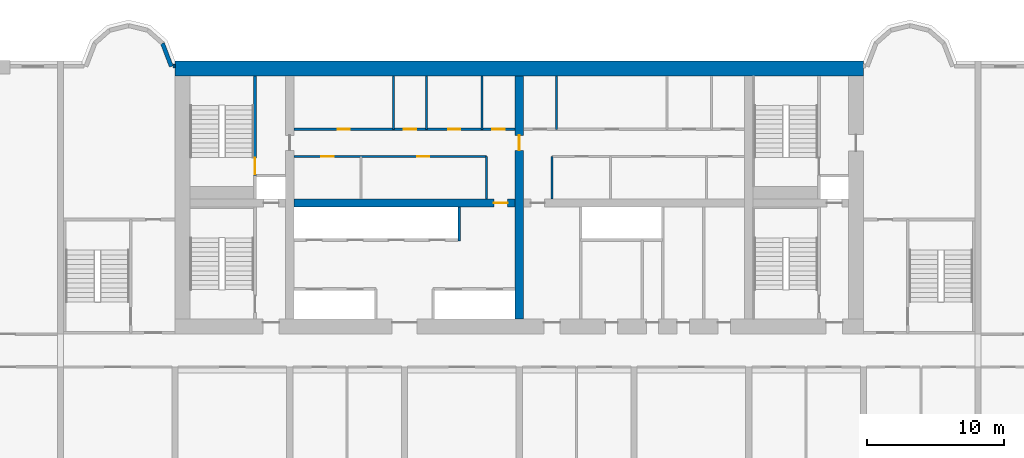
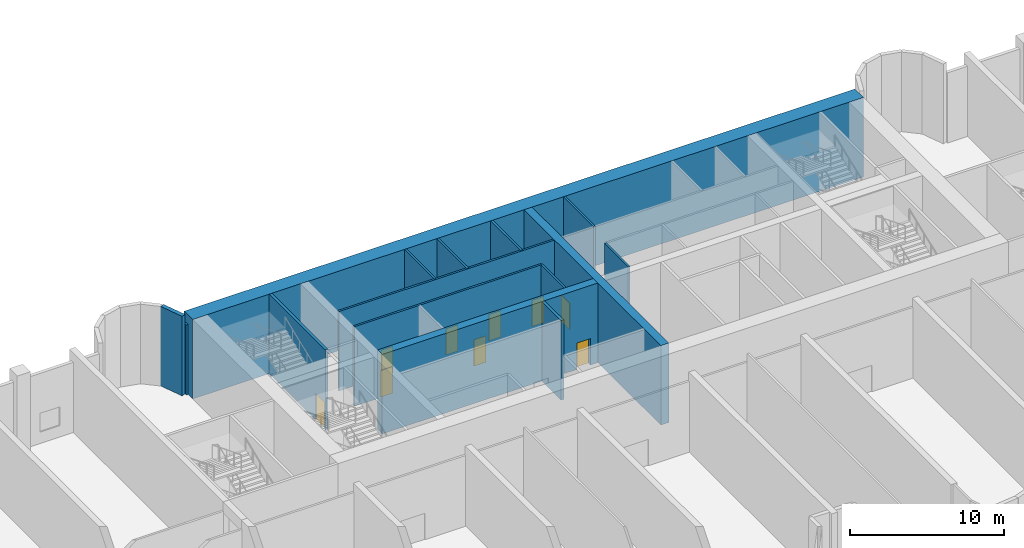
# One storey, part 10 of 15: 15 walls, 9 doors, 9 openings.
"""IFC4 building model written with IfcOpenShell, lengths in metres."""

from ifc_helpers import new_model, si_unit, direction, frame, frame_2d, origin, place, context, subcontext, project, spatial, rectangle, extrude, source, transform, mapped, material, layer, layer_set, type_object, element, fill, save


model = new_model("IFC4")

# Units and contexts
model_context = context("Model", 3, precision=1e-05, world=origin(), true_north=direction((0.0, 1.0)))
body_context = subcontext(model_context, "Body", "Model", "MODEL_VIEW")
ifc_project = project(units=[si_unit("LENGTHUNIT", "METRE"), si_unit("AREAUNIT", "SQUARE_METRE"), si_unit("VOLUMEUNIT", "CUBIC_METRE"), si_unit("PLANEANGLEUNIT", "RADIAN"), si_unit("MASSUNIT", "GRAM", prefix="KILO")], contexts=[model_context])

# Site, building, storey
site_placement = place(None, origin())
site = spatial("IfcSite", under=ifc_project, at=site_placement, CompositionType="ELEMENT")
building_placement = place(site_placement, origin())
building = spatial("IfcBuilding", under=site, at=building_placement, Name="Vanashikhar Sky Hotel", CompositionType="ELEMENT")
storey_placement = place(building_placement, frame((0.0, 0.0, 11.39990234375)))
storey = spatial("IfcBuildingStorey", under=building, at=storey_placement, Name="L02", CompositionType="ELEMENT", Elevation=11.39990234375)

# Wall
ifc_material_1 = material(Name="Concrete M80", Category="concrete")
ifc_layer_1 = layer(ifc_material_1, 1.10009765625)
ifc_layer_set_1 = layer_set([ifc_layer_1], Name="RC core shell wall 1100 Concrete M80")
wall_type_1 = type_object("IfcWallType", Name="RC core shell wall 1100 Concrete M80", PredefinedType="SHEAR", material=ifc_layer_set_1)
shared_shape_1 = source(origin(), body_context, "Body", "SweptSolid", [
    extrude(rectangle(XDim=50.400146484375, YDim=1.10009765625, at=frame_2d((25.2001953125, 0.0))), origin(), (0.0, 0.0, 1.0), 6.320068359375),
])
wall_1_placement = place(storey_placement, frame((25.199951171875, 41.449951171875, 0.0), z_axis=(0.0, 0.0, 1.0), x_axis=(1.0, 0.0, 0.0)))
element("IfcWall", 1, at=wall_1_placement, inside=storey, type_object=wall_type_1, Name="KW-L02-KN", PredefinedType="SHEAR", context=body_context, shape_type="MappedRepresentation", body=[
    mapped(shared_shape_1, transform((0.0, 0.0, 0.0), scale=1.0)),
])

# Wall, opening, door
ifc_layer_2 = layer(ifc_material_1, 0.60009765625)
ifc_layer_set_2 = layer_set([ifc_layer_2], Name="RC core inner wall 600 Concrete M80")
wall_type_2 = type_object("IfcWallType", Name="RC core inner wall 600 Concrete M80", PredefinedType="SHEAR", material=ifc_layer_set_2)
shared_shape_2 = source(origin(), body_context, "Body", "SweptSolid", [
    extrude(rectangle(XDim=17.7998046875, YDim=0.60009765625, at=frame_2d((8.89990234375, 0.0))), origin(), (0.0, 0.0, 1.0), 6.320068359375),
])
wall_2_placement = place(storey_placement, frame((50.39990234375, 23.10009765625, 0.0), z_axis=(0.0, 0.0, 1.0), x_axis=(0.0, 1.0, 0.0)))
wall_2 = element("IfcWall", 2, at=wall_2_placement, inside=storey, type_object=wall_type_2, Name="KW-L02-KX2", PredefinedType="SHEAR", context=body_context, shape_type="MappedRepresentation", body=[
    mapped(shared_shape_2, transform((0.0, 0.0, 0.0), scale=1.0)),
])
shared_shape_3 = source(origin(), body_context, "Body", "SweptSolid", [
    extrude(rectangle(XDim=1.10009765625, YDim=2.10009765625, at=frame_2d((0.550048828125, 1.050048828125))), frame((0.0, 0.31005859375, 0.0), z_axis=(0.0, -1.0, 0.0), x_axis=(1.0, 0.0, 0.0)), (0.0, 0.0, 1.0), 0.6201171875),
])
opening_1_placement = place(wall_2_placement, frame((12.35009765625, 0.0, 0.0)))
opening_1 = element("IfcOpeningElement", 3, at=opening_1_placement, cuts=wall_2, Name="Opening DC-4-C", PredefinedType="OPENING", context=body_context, shape_type="MappedRepresentation", body=[
    mapped(shared_shape_3, transform((0.0, 0.0, 0.0), scale=1.0)),
])
ifc_material_2 = material(Name="Steel", Category="steel")
door_type_1 = type_object("IfcDoorType", Name="Service door 1100 FD60", OperationType="NOTDEFINED", PredefinedType="DOOR", material=ifc_material_2)
shared_shape_4 = source(origin(), body_context, "Body", "SweptSolid", [
    extrude(rectangle(XDim=1.10009765625, YDim=2.10009765625, at=frame_2d((0.550048828125, 1.050048828125))), frame((0.0, 0.02490234375, 0.0), z_axis=(0.0, -1.0, 0.0), x_axis=(1.0, 0.0, 0.0)), (0.0, 0.0, 1.0), 0.050048828125),
])
door_1_placement = place(opening_1_placement, origin())
door_1 = element("IfcDoor", 4, at=door_1_placement, inside=storey, type_object=door_type_1, Name="Service door 1100 FD60", OperationType="SINGLE_SWING_RIGHT", OverallHeight=2.10009765625, OverallWidth=1.10009765625, PredefinedType="DOOR", context=body_context, shape_type="MappedRepresentation", body=[
    mapped(shared_shape_4, transform((0.0, 0.0, 0.0), scale=1.0)),
])
fill(opening_1, door_1)

shared_shape_5 = source(origin(), body_context, "Body", "SweptSolid", [
    extrude(rectangle(XDim=16.2001953125, YDim=0.60009765625, at=frame_2d((8.10009765625, 0.0))), origin(), (0.0, 0.0, 1.0), 6.320068359375),
])
wall_3_placement = place(storey_placement, frame((33.89990234375, 31.60009765625, 0.0), z_axis=(0.0, 0.0, 1.0), x_axis=(1.0, 0.0, 0.0)))
wall_3 = element("IfcWall", 5, at=wall_3_placement, inside=storey, type_object=wall_type_2, Name="KW-L02-KY2", PredefinedType="SHEAR", context=body_context, shape_type="MappedRepresentation", body=[
    mapped(shared_shape_5, transform((0.0, 0.0, 0.0), scale=1.0)),
])
shared_shape_6 = source(origin(), body_context, "Body", "SweptSolid", [
    extrude(rectangle(XDim=1.0, YDim=2.10009765625, at=frame_2d((0.5, 1.050048828125))), frame((0.0, 0.31005859375, 0.0), z_axis=(0.0, -1.0, 0.0), x_axis=(1.0, 0.0, 0.0)), (0.0, 0.0, 1.0), 0.6201171875),
])
opening_2_placement = place(wall_3_placement, frame((14.64990234375, 0.0, 0.0)))
opening_2 = element("IfcOpeningElement", 6, at=opening_2_placement, cuts=wall_3, Name="Opening DC-4", PredefinedType="OPENING", context=body_context, shape_type="MappedRepresentation", body=[
    mapped(shared_shape_6, transform((0.0, 0.0, 0.0), scale=1.0)),
])
door_type_2 = type_object("IfcDoorType", Name="Service door 1000 FD60", OperationType="NOTDEFINED", PredefinedType="DOOR", material=ifc_material_2)
shared_shape_7 = source(origin(), body_context, "Body", "SweptSolid", [
    extrude(rectangle(XDim=1.0, YDim=2.10009765625, at=frame_2d((0.5, 1.050048828125))), frame((0.0, 0.02490234375, 0.0), z_axis=(0.0, -1.0, 0.0), x_axis=(1.0, 0.0, 0.0)), (0.0, 0.0, 1.0), 0.050048828125),
])
door_2_placement = place(opening_2_placement, origin())
door_2 = element("IfcDoor", 7, at=door_2_placement, inside=storey, type_object=door_type_2, Name="Service door 1000 FD60", OperationType="SINGLE_SWING_RIGHT", OverallHeight=2.10009765625, OverallWidth=1.0, PredefinedType="DOOR", context=body_context, shape_type="MappedRepresentation", body=[
    mapped(shared_shape_7, transform((0.0, 0.0, 0.0), scale=1.0)),
])
fill(opening_2, door_2)

# Walls
ifc_material_3 = material(Name="Concrete M50", Category="concrete")
ifc_layer_3 = layer(ifc_material_3, 0.25)
ifc_layer_set_3 = layer_set([ifc_layer_3], Name="Rear and end board-marked wall 250")
wall_type_3 = type_object("IfcWallType", Name="Rear and end board-marked wall 250", PredefinedType="SOLIDWALL", material=ifc_layer_set_3)
shared_shape_8 = source(origin(), body_context, "Body", "SweptSolid", [
    extrude(rectangle(XDim=0.137939453125, YDim=0.25, at=frame_2d((0.06884765625, 0.0))), origin(), (0.0, 0.0, 1.0), 5.570068359375),
])
wall_4_placement = place(storey_placement, frame((25.199951171875, 41.625, 0.0), z_axis=(0.0, 0.0, 1.0), x_axis=(-1.0, 0.0, 0.0)))
element("IfcWall", 8, at=wall_4_placement, inside=storey, type_object=wall_type_3, Name="Podium external wall", PredefinedType="SOLIDWALL", context=body_context, shape_type="MappedRepresentation", body=[
    mapped(shared_shape_8, transform((0.0, 0.0, 0.0), scale=1.0)),
])
ifc_layer_4 = layer(ifc_material_3, 0.300048828125)
ifc_layer_set_4 = layer_set([ifc_layer_4], Name="Lobe wall 300")
wall_type_4 = type_object("IfcWallType", Name="Lobe wall 300", PredefinedType="SOLIDWALL", material=ifc_layer_set_4)
shared_shape_9 = source(origin(), body_context, "Body", "SweptSolid", [
    extrude(rectangle(XDim=1.811767578125, YDim=0.300048828125, at=frame_2d((0.90576171875, 0.0))), origin(), (0.0, 0.0, 1.0), 6.320068359375),
])
wall_5_placement = place(storey_placement, frame((24.9248046875, 41.60009765625, 0.0), z_axis=(0.0, 0.0, 1.0), x_axis=(-0.357759776872, 0.933813654886, 0.0)))
element("IfcWall", 9, at=wall_5_placement, inside=storey, type_object=wall_type_4, Name="Lobe wall", PredefinedType="SOLIDWALL", context=body_context, shape_type="MappedRepresentation", body=[
    mapped(shared_shape_9, transform((0.0, 0.0, 0.0), scale=1.0)),
])
ifc_material_4 = material(Name="Concrete M40", Category="concrete")
ifc_layer_5 = layer(ifc_material_4, 0.199951171875)
ifc_layer_set_5 = layer_set([ifc_layer_5], Name="Shaft wall 200")
wall_type_5 = type_object("IfcWallType", Name="Shaft wall 200", PredefinedType="SOLIDWALL", material=ifc_layer_set_5)
shared_shape_10 = source(origin(), body_context, "Body", "SweptSolid", [
    extrude(rectangle(XDim=2.5, YDim=0.199951171875, at=frame_2d((1.25, 0.0))), origin(), (0.0, 0.0, 1.0), 6.320068359375),
])
wall_6_placement = place(storey_placement, frame((46.0, 28.800048828125, 0.0), z_axis=(0.0, 0.0, 1.0), x_axis=(0.0, 1.0, 0.0)))
element("IfcWall", 10, at=wall_6_placement, inside=storey, type_object=wall_type_5, Name="Shaft wall 200", PredefinedType="SOLIDWALL", context=body_context, shape_type="MappedRepresentation", body=[
    mapped(shared_shape_10, transform((0.0, 0.0, 0.0), scale=1.0)),
])
ifc_material_5 = material(Name="Gypsum board partition")
ifc_layer_6 = layer(ifc_material_5, 0.14990234375)
ifc_layer_set_6 = layer_set([ifc_layer_6], Name="Service partition 150")
wall_type_6 = type_object("IfcWallType", Name="Service partition 150", PredefinedType="PARTITIONING", material=ifc_layer_set_6)
shared_shape_11 = source(origin(), body_context, "Body", "SweptSolid", [
    extrude(rectangle(XDim=3.10009765625, YDim=0.14990234375, at=frame_2d((1.550048828125, 0.0))), origin(), (0.0, 0.0, 1.0), 6.320068359375),
])
for number, where, z_axis, x_axis, name in (
    (11, (48.0, 31.89990234375, 0.0), (0.0, 0.0, 1.0), (0.0, 1.0, 0.0), "Service partition 150"),
    (12, (52.800048828125, 31.89990234375, 0.0), (0.0, 0.0, 1.0), (0.0, 1.0, 0.0), "Service partition 150"),
):
    element("IfcWall", number, at=place(storey_placement, frame(where, z_axis=z_axis, x_axis=x_axis)), inside=storey, type_object=wall_type_6, Name=name, PredefinedType="PARTITIONING", context=body_context, shape_type="MappedRepresentation", body=[
        mapped(shared_shape_11, transform((0.0, 0.0, 0.0), scale=1.0)),
    ])

# Wall, openings, doors
shared_shape_12 = source(origin(), body_context, "Body", "SweptSolid", [
    extrude(rectangle(XDim=14.10009765625, YDim=0.14990234375, at=frame_2d((7.050048828125, 0.0))), origin(), (0.0, 0.0, 1.0), 6.320068359375),
])
wall_7_placement = place(storey_placement, frame((33.89990234375, 35.0, 0.0), z_axis=(0.0, 0.0, 1.0), x_axis=(1.0, 0.0, 0.0)))
wall_7 = element("IfcWall", 13, at=wall_7_placement, inside=storey, type_object=wall_type_6, Name="Service partition 150", PredefinedType="PARTITIONING", context=body_context, shape_type="MappedRepresentation", body=[
    mapped(shared_shape_12, transform((0.0, 0.0, 0.0), scale=1.0)),
])
shared_shape_13 = source(origin(), body_context, "Body", "SweptSolid", [
    extrude(rectangle(XDim=0.89990234375, YDim=2.10009765625, at=frame_2d((0.449951171875, 1.050048828125))), frame((0.0, 0.0849609375, 0.0), z_axis=(0.0, -1.0, 0.0), x_axis=(1.0, 0.0, 0.0)), (0.0, 0.0, 1.0), 0.169921875),
])
opening_3_placement = place(wall_7_placement, frame((2.00390625, 0.0, 0.0)))
opening_3 = element("IfcOpeningElement", 14, at=opening_3_placement, cuts=wall_7, Name="Opening DC-4-A", PredefinedType="OPENING", context=body_context, shape_type="MappedRepresentation", body=[
    mapped(shared_shape_13, transform((0.0, 0.0, 0.0), scale=1.0)),
])
opening_4_placement = place(wall_7_placement, frame((9.01708984375, 0.0, 0.0)))
opening_4 = element("IfcOpeningElement", 15, at=opening_4_placement, cuts=wall_7, Name="Opening DC-4-A", PredefinedType="OPENING", context=body_context, shape_type="MappedRepresentation", body=[
    mapped(shared_shape_13, transform((0.0, 0.0, 0.0), scale=1.0)),
])
door_type_3 = type_object("IfcDoorType", Name="Service door 900 FD60", OperationType="NOTDEFINED", PredefinedType="DOOR", material=ifc_material_2)
shared_shape_14 = source(origin(), body_context, "Body", "SweptSolid", [
    extrude(rectangle(XDim=0.89990234375, YDim=2.10009765625, at=frame_2d((0.449951171875, 1.050048828125))), frame((0.0, 0.02490234375, 0.0), z_axis=(0.0, -1.0, 0.0), x_axis=(1.0, 0.0, 0.0)), (0.0, 0.0, 1.0), 0.050048828125),
])
door_3_placement = place(opening_3_placement, origin())
door_3 = element("IfcDoor", 16, at=door_3_placement, inside=storey, type_object=door_type_3, Name="Service door 900 FD60", OperationType="SINGLE_SWING_LEFT", OverallHeight=2.10009765625, OverallWidth=0.89990234375, PredefinedType="DOOR", context=body_context, shape_type="MappedRepresentation", body=[
    mapped(shared_shape_14, transform((0.0, 0.0, 0.0), scale=1.0)),
])
fill(opening_3, door_3)
door_4_placement = place(opening_4_placement, origin())
door_4 = element("IfcDoor", 17, at=door_4_placement, inside=storey, type_object=door_type_3, Name="Service door 900 FD60", OperationType="SINGLE_SWING_RIGHT", OverallHeight=2.10009765625, OverallWidth=0.89990234375, PredefinedType="DOOR", context=body_context, shape_type="MappedRepresentation", body=[
    mapped(shared_shape_14, transform((0.0, 0.0, 0.0), scale=1.0)),
])
fill(opening_4, door_4)

shared_shape_15 = source(origin(), body_context, "Body", "SweptSolid", [
    extrude(rectangle(XDim=16.2001953125, YDim=0.14990234375, at=frame_2d((8.10009765625, 0.0))), origin(), (0.0, 0.0, 1.0), 6.320068359375),
])
wall_8_placement = place(storey_placement, frame((33.89990234375, 37.0, 0.0), z_axis=(0.0, 0.0, 1.0), x_axis=(1.0, 0.0, 0.0)))
wall_8 = element("IfcWall", 18, at=wall_8_placement, inside=storey, type_object=wall_type_6, Name="Service partition 150", PredefinedType="PARTITIONING", context=body_context, shape_type="MappedRepresentation", body=[
    mapped(shared_shape_15, transform((0.0, 0.0, 0.0), scale=1.0)),
])
opening_5_placement = place(wall_8_placement, frame((3.195068359375, 0.0, 0.0)))
opening_5 = element("IfcOpeningElement", 19, at=opening_5_placement, cuts=wall_8, Name="Opening DC-4-A", PredefinedType="OPENING", context=body_context, shape_type="MappedRepresentation", body=[
    mapped(shared_shape_13, transform((0.0, 0.0, 0.0), scale=1.0)),
])
opening_6_placement = place(wall_8_placement, frame((8.054931640625, 0.0, 0.0)))
opening_6 = element("IfcOpeningElement", 20, at=opening_6_placement, cuts=wall_8, Name="Opening DC-4-A", PredefinedType="OPENING", context=body_context, shape_type="MappedRepresentation", body=[
    mapped(shared_shape_13, transform((0.0, 0.0, 0.0), scale=1.0)),
])
opening_7_placement = place(wall_8_placement, frame((11.294921875, 0.0, 0.0)))
opening_7 = element("IfcOpeningElement", 21, at=opening_7_placement, cuts=wall_8, Name="Opening DC-4-A", PredefinedType="OPENING", context=body_context, shape_type="MappedRepresentation", body=[
    mapped(shared_shape_13, transform((0.0, 0.0, 0.0), scale=1.0)),
])
opening_8_placement = place(wall_8_placement, frame((14.534912109375, 0.0, 0.0)))
opening_8 = element("IfcOpeningElement", 22, at=opening_8_placement, cuts=wall_8, Name="Opening DC-4-A", PredefinedType="OPENING", context=body_context, shape_type="MappedRepresentation", body=[
    mapped(shared_shape_13, transform((0.0, 0.0, 0.0), scale=1.0)),
])
door_5_placement = place(opening_5_placement, origin())
door_5 = element("IfcDoor", 23, at=door_5_placement, inside=storey, type_object=door_type_3, Name="Service door 900 FD60", OperationType="SINGLE_SWING_RIGHT", OverallHeight=2.10009765625, OverallWidth=0.89990234375, PredefinedType="DOOR", context=body_context, shape_type="MappedRepresentation", body=[
    mapped(shared_shape_14, transform((0.0, 0.0, 0.0), scale=1.0)),
])
fill(opening_5, door_5)
door_6_placement = place(opening_6_placement, origin())
door_6 = element("IfcDoor", 24, at=door_6_placement, inside=storey, type_object=door_type_3, Name="Service door 900 FD60", OperationType="SINGLE_SWING_RIGHT", OverallHeight=2.10009765625, OverallWidth=0.89990234375, PredefinedType="DOOR", context=body_context, shape_type="MappedRepresentation", body=[
    mapped(shared_shape_14, transform((0.0, 0.0, 0.0), scale=1.0)),
])
fill(opening_6, door_6)
door_7_placement = place(opening_7_placement, origin())
door_7 = element("IfcDoor", 25, at=door_7_placement, inside=storey, type_object=door_type_3, Name="Service door 900 FD60", OperationType="SINGLE_SWING_LEFT", OverallHeight=2.10009765625, OverallWidth=0.89990234375, PredefinedType="DOOR", context=body_context, shape_type="MappedRepresentation", body=[
    mapped(shared_shape_14, transform((0.0, 0.0, 0.0), scale=1.0)),
])
fill(opening_7, door_7)
door_8_placement = place(opening_8_placement, origin())
door_8 = element("IfcDoor", 26, at=door_8_placement, inside=storey, type_object=door_type_3, Name="Service door 900 FD60", OperationType="SINGLE_SWING_LEFT", OverallHeight=2.10009765625, OverallWidth=0.89990234375, PredefinedType="DOOR", context=body_context, shape_type="MappedRepresentation", body=[
    mapped(shared_shape_14, transform((0.0, 0.0, 0.0), scale=1.0)),
])
fill(opening_8, door_8)

# Walls
shared_shape_16 = source(origin(), body_context, "Body", "SweptSolid", [
    extrude(rectangle(XDim=3.89990234375, YDim=0.14990234375, at=frame_2d((1.949951171875, 0.0))), origin(), (0.0, 0.0, 1.0), 6.320068359375),
])
for number, where, z_axis, x_axis, name in (
    (27, (41.18994140625, 37.0, 0.0), (0.0, 0.0, 1.0), (0.0, 1.0, 0.0), "Service partition 150"),
    (28, (43.6201171875, 37.0, 0.0), (0.0, 0.0, 1.0), (0.0, 1.0, 0.0), "Service partition 150"),
    (29, (47.669921875, 37.0, 0.0), (0.0, 0.0, 1.0), (0.0, 1.0, 0.0), "Service partition 150"),
    (30, (53.1298828125, 37.0, 0.0), (0.0, 0.0, 1.0), (0.0, 1.0, 0.0), "Service partition 150"),
):
    element("IfcWall", number, at=place(storey_placement, frame(where, z_axis=z_axis, x_axis=x_axis)), inside=storey, type_object=wall_type_6, Name=name, PredefinedType="PARTITIONING", context=body_context, shape_type="MappedRepresentation", body=[
        mapped(shared_shape_16, transform((0.0, 0.0, 0.0), scale=1.0)),
    ])

# Wall, opening, door
ifc_layer_7 = layer(ifc_material_3, 0.199951171875)
ifc_layer_set_7 = layer_set([ifc_layer_7], Name="Stair wall 200")
wall_type_7 = type_object("IfcWallType", Name="Stair wall 200", PredefinedType="SOLIDWALL", material=ifc_layer_set_7)
shared_shape_17 = source(origin(), body_context, "Body", "SweptSolid", [
    extrude(rectangle(XDim=7.2998046875, YDim=0.199951171875, at=frame_2d((3.64990234375, 0.0))), origin(), (0.0, 0.0, 1.0), 6.320068359375),
])
wall_9_placement = place(storey_placement, frame((31.050048828125, 33.60009765625, 0.0), z_axis=(0.0, 0.0, 1.0), x_axis=(0.0, 1.0, 0.0)))
wall_9 = element("IfcWall", 31, at=wall_9_placement, inside=storey, type_object=wall_type_7, Name="Stair wall 200", PredefinedType="SOLIDWALL", context=body_context, shape_type="MappedRepresentation", body=[
    mapped(shared_shape_17, transform((0.0, 0.0, 0.0), scale=1.0)),
])
shared_shape_18 = source(origin(), body_context, "Body", "SweptSolid", [
    extrude(rectangle(XDim=1.199951171875, YDim=2.10009765625, at=frame_2d((0.60009765625, 1.050048828125))), frame((0.0, 0.10986328125, 0.0), z_axis=(0.0, -1.0, 0.0), x_axis=(1.0, 0.0, 0.0)), (0.0, 0.0, 1.0), 0.219970703125),
])
opening_9_placement = place(wall_9_placement, frame((0.10009765625, 0.0, 0.0)))
opening_9 = element("IfcOpeningElement", 32, at=opening_9_placement, cuts=wall_9, Name="Opening DC-1", PredefinedType="OPENING", context=body_context, shape_type="MappedRepresentation", body=[
    mapped(shared_shape_18, transform((0.0, 0.0, 0.0), scale=1.0)),
])
door_type_4 = type_object("IfcDoorType", Name="Stair door 1200 FD120", OperationType="NOTDEFINED", PredefinedType="DOOR", material=ifc_material_2)
shared_shape_19 = source(origin(), body_context, "Body", "SweptSolid", [
    extrude(rectangle(XDim=1.199951171875, YDim=2.10009765625, at=frame_2d((0.60009765625, 1.050048828125))), frame((0.0, 0.02490234375, 0.0), z_axis=(0.0, -1.0, 0.0), x_axis=(1.0, 0.0, 0.0)), (0.0, 0.0, 1.0), 0.050048828125),
])
door_9_placement = place(opening_9_placement, origin())
door_9 = element("IfcDoor", 33, at=door_9_placement, inside=storey, type_object=door_type_4, Name="Stair door 1200 FD120", OperationType="SINGLE_SWING_RIGHT", OverallHeight=2.10009765625, OverallWidth=1.199951171875, PredefinedType="DOOR", context=body_context, shape_type="MappedRepresentation", body=[
    mapped(shared_shape_19, transform((0.0, 0.0, 0.0), scale=1.0)),
])
fill(opening_9, door_9)

save(model, "model.ifc")
